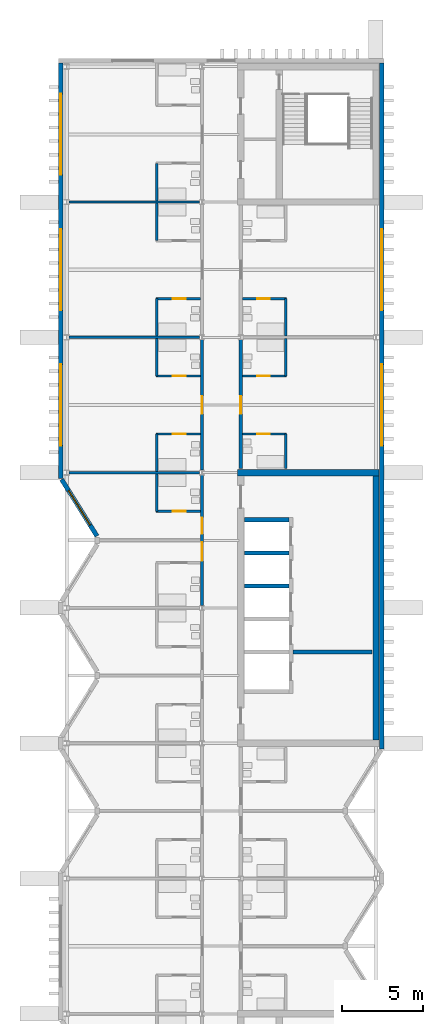
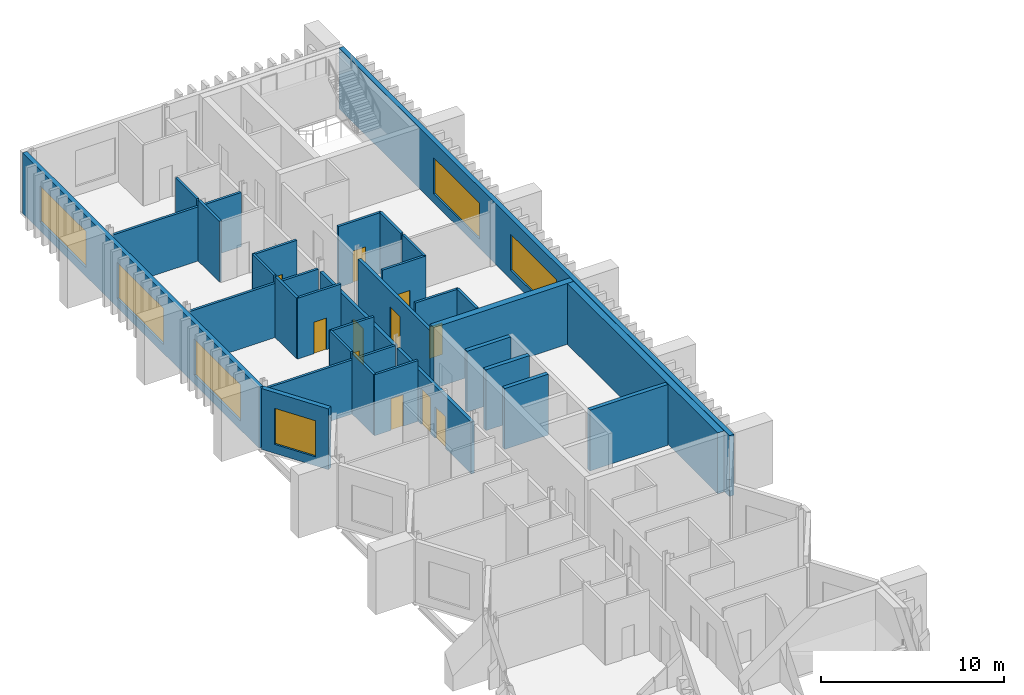
# One storey, part 7 of 10: 31 walls, 11 doors, 6 windows, 17 openings.
"""IFC4 building model written with IfcOpenShell, lengths in metres."""

from ifc_helpers import new_model, si_unit, direction, frame, frame_2d, origin, place, context, subcontext, project, spatial, rectangle, extrude, material, layer, layer_set, type_object, element, fill, save


model = new_model("IFC4")

# Units and contexts
model_context = context("Model", 3, precision=1e-05, world=origin(), true_north=direction((0.0, 1.0)))
body_context = subcontext(model_context, "Body", "Model", "MODEL_VIEW")
ifc_project = project(units=[si_unit("LENGTHUNIT", "METRE"), si_unit("AREAUNIT", "SQUARE_METRE"), si_unit("VOLUMEUNIT", "CUBIC_METRE"), si_unit("PLANEANGLEUNIT", "RADIAN"), si_unit("MASSUNIT", "GRAM", prefix="KILO")], contexts=[model_context])

# Site, building, storey
site_placement = place(None, origin())
site = spatial("IfcSite", under=ifc_project, at=site_placement, CompositionType="ELEMENT")
building_placement = place(site_placement, origin())
building = spatial("IfcBuilding", under=site, at=building_placement, Name="Cresset Court Congress Hotel", CompositionType="ELEMENT")
storey_placement = place(building_placement, frame((0.0, 0.0, 56.39990234375)))
storey = spatial("IfcBuildingStorey", under=building, at=storey_placement, Name="L13", CompositionType="ELEMENT", Elevation=56.39990234375)

# Wall, openings, doors
ifc_material_1 = material(Name="Gypsum board partition")
ifc_layer_1 = layer(ifc_material_1, 0.199951171875)
ifc_layer_set_1 = layer_set([ifc_layer_1], Name="Corridor wall 200")
wall_type_1 = type_object("IfcWallType", Name="Corridor wall 200", PredefinedType="PARTITIONING", material=ifc_layer_set_1)
wall_1_placement = place(storey_placement, frame((165.60009765625, 33.75, 0.0), z_axis=(0.0, 0.0, 1.0), x_axis=(0.0, 1.0, 0.0)))
wall_1 = element("IfcWall", 1, at=wall_1_placement, inside=storey, type_object=wall_type_1, Name="A.wl.L13.068", PredefinedType="PARTITIONING", context=body_context, shape_type="SweptSolid", body=[
    extrude(rectangle(XDim=8.10009765625, YDim=0.199951171875, at=frame_2d((4.050048828125, 0.0))), origin(), (0.0, 0.0, 1.0), 3.4501953125),
])
opening_1_placement = place(wall_1_placement, frame((2.77490234375, 0.0, 0.0)))
opening_1 = element("IfcOpeningElement", 2, at=opening_1_placement, cuts=wall_1, Name="Opening DA-13-17", PredefinedType="OPENING", context=body_context, shape_type="SweptSolid", body=[
    extrude(rectangle(XDim=1.14990234375, YDim=2.10009765625, at=frame_2d((0.574951171875, 1.050048828125))), frame((0.0, 0.10986328125, 0.0), z_axis=(0.0, -1.0, 0.0), x_axis=(1.0, 0.0, 0.0)), (0.0, 0.0, 1.0), 0.219970703125),
])
opening_2_placement = place(wall_1_placement, frame((4.449951171875, 0.0, 0.0)))
opening_2 = element("IfcOpeningElement", 3, at=opening_2_placement, cuts=wall_1, Name="Opening DA-13-19", PredefinedType="OPENING", context=body_context, shape_type="SweptSolid", body=[
    extrude(rectangle(XDim=1.0, YDim=2.39990234375, at=frame_2d((0.5, 1.199951171875))), frame((0.0, 0.10986328125, 0.0), z_axis=(0.0, -1.0, 0.0), x_axis=(1.0, 0.0, 0.0)), (0.0, 0.0, 1.0), 0.219970703125),
])
ifc_material_2 = material(Name="timber", Category="wood")
door_type_1 = type_object("IfcDoorType", Name="Accessible guest-room entry door 1150x2100 FD30S", OperationType="SINGLE_SWING_LEFT", PredefinedType="DOOR", material=ifc_material_2)
door_1_placement = place(opening_1_placement, origin())
door_1 = element("IfcDoor", 4, at=door_1_placement, inside=storey, type_object=door_type_1, Name="Door DA-13-17", OperationType="SINGLE_SWING_RIGHT", OverallHeight=2.10009765625, OverallWidth=1.14990234375, PredefinedType="DOOR", context=body_context, shape_type="SweptSolid", body=[
    extrude(rectangle(XDim=1.14990234375, YDim=2.10009765625, at=frame_2d((0.574951171875, 1.050048828125))), frame((0.0, 0.02490234375, 0.0), z_axis=(0.0, -1.0, 0.0), x_axis=(1.0, 0.0, 0.0)), (0.0, 0.0, 1.0), 0.050048828125),
])
fill(opening_1, door_1)
ifc_material_3 = material(Name="timber", Category="wood")
door_type_2 = type_object("IfcDoorType", Name="Guest-room entry door 1000x2400 FD30S", OperationType="SINGLE_SWING_LEFT", PredefinedType="DOOR", material=ifc_material_3)
door_2_placement = place(opening_2_placement, origin())
door_2 = element("IfcDoor", 5, at=door_2_placement, inside=storey, type_object=door_type_2, Name="Door DA-13-19", OperationType="SINGLE_SWING_LEFT", OverallHeight=2.39990234375, OverallWidth=1.0, PredefinedType="DOOR", context=body_context, shape_type="SweptSolid", body=[
    extrude(rectangle(XDim=1.0, YDim=2.39990234375, at=frame_2d((0.5, 1.199951171875))), frame((0.0, 0.02490234375, 0.0), z_axis=(0.0, -1.0, 0.0), x_axis=(1.0, 0.0, 0.0)), (0.0, 0.0, 1.0), 0.050048828125),
])
fill(opening_2, door_2)

# Wall, opening, door
wall_2_placement = place(storey_placement, frame((165.60009765625, 42.14990234375, 0.0), z_axis=(0.0, 0.0, 1.0), x_axis=(0.0, 1.0, 0.0)))
wall_2 = element("IfcWall", 6, at=wall_2_placement, inside=storey, type_object=wall_type_1, Name="A.wl.L13.069", PredefinedType="PARTITIONING", context=body_context, shape_type="SweptSolid", body=[
    extrude(rectangle(XDim=8.10009765625, YDim=0.199951171875, at=frame_2d((4.050048828125, 0.0))), origin(), (0.0, 0.0, 1.0), 3.4501953125),
])
opening_3_placement = place(wall_2_placement, frame((3.5, 0.0, 0.0)))
opening_3 = element("IfcOpeningElement", 7, at=opening_3_placement, cuts=wall_2, Name="Opening DA-13-22", PredefinedType="OPENING", context=body_context, shape_type="SweptSolid", body=[
    extrude(rectangle(XDim=1.10009765625, YDim=2.39990234375, at=frame_2d((0.550048828125, 1.199951171875))), frame((0.0, 0.10986328125, 0.0), z_axis=(0.0, -1.0, 0.0), x_axis=(1.0, 0.0, 0.0)), (0.0, 0.0, 1.0), 0.219970703125),
])
ifc_material_4 = material(Name="timber", Category="wood")
door_type_3 = type_object("IfcDoorType", Name="Suite entrance door 1100x2400 FD30S", OperationType="SINGLE_SWING_LEFT", PredefinedType="DOOR", material=ifc_material_4)
door_3_placement = place(opening_3_placement, origin())
door_3 = element("IfcDoor", 8, at=door_3_placement, inside=storey, type_object=door_type_3, Name="Door DA-13-22", OperationType="SINGLE_SWING_RIGHT", OverallHeight=2.39990234375, OverallWidth=1.10009765625, PredefinedType="DOOR", context=body_context, shape_type="SweptSolid", body=[
    extrude(rectangle(XDim=1.10009765625, YDim=2.39990234375, at=frame_2d((0.550048828125, 1.199951171875))), frame((0.0, 0.02490234375, 0.0), z_axis=(0.0, -1.0, 0.0), x_axis=(1.0, 0.0, 0.0)), (0.0, 0.0, 1.0), 0.050048828125),
])
fill(opening_3, door_3)

wall_3_placement = place(storey_placement, frame((168.0, 42.25, 0.0), z_axis=(0.0, 0.0, 1.0), x_axis=(0.0, 1.0, 0.0)))
wall_3 = element("IfcWall", 9, at=wall_3_placement, inside=storey, type_object=wall_type_1, Name="A.wl.L13.074", PredefinedType="PARTITIONING", context=body_context, shape_type="SweptSolid", body=[
    extrude(rectangle(XDim=8.0, YDim=0.199951171875, at=frame_2d((4.0, 0.0))), origin(), (0.0, 0.0, 1.0), 3.4501953125),
])
opening_4_placement = place(wall_3_placement, frame((3.39990234375, 0.0, 0.0)))
opening_4 = element("IfcOpeningElement", 10, at=opening_4_placement, cuts=wall_3, Name="Opening DA-13-39", PredefinedType="OPENING", context=body_context, shape_type="SweptSolid", body=[
    extrude(rectangle(XDim=1.10009765625, YDim=2.39990234375, at=frame_2d((0.550048828125, 1.199951171875))), frame((0.0, 0.10986328125, 0.0), z_axis=(0.0, -1.0, 0.0), x_axis=(1.0, 0.0, 0.0)), (0.0, 0.0, 1.0), 0.219970703125),
])
door_4_placement = place(opening_4_placement, origin())
door_4 = element("IfcDoor", 11, at=door_4_placement, inside=storey, type_object=door_type_3, Name="Door DA-13-39", OperationType="SINGLE_SWING_RIGHT", OverallHeight=2.39990234375, OverallWidth=1.10009765625, PredefinedType="DOOR", context=body_context, shape_type="SweptSolid", body=[
    extrude(rectangle(XDim=1.10009765625, YDim=2.39990234375, at=frame_2d((0.550048828125, 1.199951171875))), frame((0.0, 0.02490234375, 0.0), z_axis=(0.0, -1.0, 0.0), x_axis=(1.0, 0.0, 0.0)), (0.0, 0.0, 1.0), 0.050048828125),
])
fill(opening_4, door_4)

# Wall
ifc_material_5 = material(Name="Gypsum board partition")
ifc_layer_2 = layer(ifc_material_5, 0.14990234375)
ifc_layer_set_2 = layer_set([ifc_layer_2], Name="En-suite wall 150")
wall_type_2 = type_object("IfcWallType", Name="En-suite wall 150", PredefinedType="PARTITIONING", material=ifc_layer_set_2)
wall_4_placement = place(storey_placement, frame((162.800048828125, 39.60009765625, 0.0), z_axis=(0.0, 0.0, 1.0), x_axis=(0.0, 1.0, 0.0)))
element("IfcWall", 12, at=wall_4_placement, inside=storey, type_object=wall_type_2, Name="A.wl.L13.019", PredefinedType="PARTITIONING", context=body_context, shape_type="SweptSolid", body=[
    extrude(rectangle(XDim=2.324951171875, YDim=0.14990234375, at=frame_2d((1.16259765625, 0.0))), origin(), (0.0, 0.0, 1.0), 4.050048828125),
])

# Wall, opening, door
wall_5_placement = place(storey_placement, frame((162.75, 39.60009765625, 0.0), z_axis=(0.0, 0.0, 1.0), x_axis=(1.0, 0.0, 0.0)))
wall_5 = element("IfcWall", 13, at=wall_5_placement, inside=storey, type_object=wall_type_2, Name="A.wl.L13.020", PredefinedType="PARTITIONING", context=body_context, shape_type="SweptSolid", body=[
    extrude(rectangle(XDim=2.75, YDim=0.14990234375, at=frame_2d((1.375, 0.0))), origin(), (0.0, 0.0, 1.0), 4.050048828125),
])
opening_5_placement = place(wall_5_placement, frame((1.030029296875, 0.0, 0.0)))
opening_5 = element("IfcOpeningElement", 14, at=opening_5_placement, cuts=wall_5, Name="Opening DA-13-18", PredefinedType="OPENING", context=body_context, shape_type="SweptSolid", body=[
    extrude(rectangle(XDim=0.800048828125, YDim=2.10009765625, at=frame_2d((0.39990234375, 1.050048828125))), frame((0.0, 0.0849609375, 0.0), z_axis=(0.0, -1.0, 0.0), x_axis=(1.0, 0.0, 0.0)), (0.0, 0.0, 1.0), 0.169921875),
])
ifc_material_6 = material(Name="timber", Category="wood")
door_type_4 = type_object("IfcDoorType", Name="En-suite door 800x2100", OperationType="SINGLE_SWING_LEFT", PredefinedType="DOOR", material=ifc_material_6)
door_5_placement = place(opening_5_placement, origin())
door_5 = element("IfcDoor", 15, at=door_5_placement, inside=storey, type_object=door_type_4, Name="Door DA-13-18", OperationType="SINGLE_SWING_LEFT", OverallHeight=2.10009765625, OverallWidth=0.800048828125, PredefinedType="DOOR", context=body_context, shape_type="SweptSolid", body=[
    extrude(rectangle(XDim=0.800048828125, YDim=2.10009765625, at=frame_2d((0.39990234375, 1.050048828125))), frame((0.0, 0.02490234375, 0.0), z_axis=(0.0, -1.0, 0.0), x_axis=(1.0, 0.0, 0.0)), (0.0, 0.0, 1.0), 0.050048828125),
])
fill(opening_5, door_5)

# Wall
wall_6_placement = place(storey_placement, frame((162.800048828125, 42.074951171875, 0.0), z_axis=(0.0, 0.0, 1.0), x_axis=(0.0, 1.0, 0.0)))
element("IfcWall", 16, at=wall_6_placement, inside=storey, type_object=wall_type_2, Name="A.wl.L13.021", PredefinedType="PARTITIONING", context=body_context, shape_type="SweptSolid", body=[
    extrude(rectangle(XDim=2.324951171875, YDim=0.14990234375, at=frame_2d((1.16259765625, 0.0))), origin(), (0.0, 0.0, 1.0), 4.050048828125),
])

# Wall, opening, door
wall_7_placement = place(storey_placement, frame((162.75, 44.39990234375, 0.0), z_axis=(0.0, 0.0, 1.0), x_axis=(1.0, 0.0, 0.0)))
wall_7 = element("IfcWall", 17, at=wall_7_placement, inside=storey, type_object=wall_type_2, Name="A.wl.L13.022", PredefinedType="PARTITIONING", context=body_context, shape_type="SweptSolid", body=[
    extrude(rectangle(XDim=2.75, YDim=0.14990234375, at=frame_2d((1.375, 0.0))), origin(), (0.0, 0.0, 1.0), 4.050048828125),
])
opening_6_placement = place(wall_7_placement, frame((1.030029296875, 0.0, 0.0)))
opening_6 = element("IfcOpeningElement", 18, at=opening_6_placement, cuts=wall_7, Name="Opening DA-13-20", PredefinedType="OPENING", context=body_context, shape_type="SweptSolid", body=[
    extrude(rectangle(XDim=0.800048828125, YDim=2.10009765625, at=frame_2d((0.39990234375, 1.050048828125))), frame((0.0, 0.0849609375, 0.0), z_axis=(0.0, -1.0, 0.0), x_axis=(1.0, 0.0, 0.0)), (0.0, 0.0, 1.0), 0.169921875),
])
door_6_placement = place(opening_6_placement, origin())
door_6 = element("IfcDoor", 19, at=door_6_placement, inside=storey, type_object=door_type_4, Name="Door DA-13-20", OperationType="SINGLE_SWING_RIGHT", OverallHeight=2.10009765625, OverallWidth=0.800048828125, PredefinedType="DOOR", context=body_context, shape_type="SweptSolid", body=[
    extrude(rectangle(XDim=0.800048828125, YDim=2.10009765625, at=frame_2d((0.39990234375, 1.050048828125))), frame((0.0, 0.02490234375, 0.0), z_axis=(0.0, -1.0, 0.0), x_axis=(1.0, 0.0, 0.0)), (0.0, 0.0, 1.0), 0.050048828125),
])
fill(opening_6, door_6)

# Wall
wall_8_placement = place(storey_placement, frame((162.800048828125, 48.0, 0.0), z_axis=(0.0, 0.0, 1.0), x_axis=(0.0, 1.0, 0.0)))
element("IfcWall", 20, at=wall_8_placement, inside=storey, type_object=wall_type_2, Name="A.wl.L13.023", PredefinedType="PARTITIONING", context=body_context, shape_type="SweptSolid", body=[
    extrude(rectangle(XDim=2.324951171875, YDim=0.14990234375, at=frame_2d((1.16259765625, 0.0))), origin(), (0.0, 0.0, 1.0), 4.050048828125),
])

# Wall, opening, door
wall_9_placement = place(storey_placement, frame((162.75, 48.0, 0.0), z_axis=(0.0, 0.0, 1.0), x_axis=(1.0, 0.0, 0.0)))
wall_9 = element("IfcWall", 21, at=wall_9_placement, inside=storey, type_object=wall_type_2, Name="A.wl.L13.024", PredefinedType="PARTITIONING", context=body_context, shape_type="SweptSolid", body=[
    extrude(rectangle(XDim=2.75, YDim=0.14990234375, at=frame_2d((1.375, 0.0))), origin(), (0.0, 0.0, 1.0), 4.050048828125),
])
opening_7_placement = place(wall_9_placement, frame((1.030029296875, 0.0, 0.0)))
opening_7 = element("IfcOpeningElement", 22, at=opening_7_placement, cuts=wall_9, Name="Opening DA-13-21", PredefinedType="OPENING", context=body_context, shape_type="SweptSolid", body=[
    extrude(rectangle(XDim=0.800048828125, YDim=2.10009765625, at=frame_2d((0.39990234375, 1.050048828125))), frame((0.0, 0.0849609375, 0.0), z_axis=(0.0, -1.0, 0.0), x_axis=(1.0, 0.0, 0.0)), (0.0, 0.0, 1.0), 0.169921875),
])
door_7_placement = place(opening_7_placement, origin())
door_7 = element("IfcDoor", 23, at=door_7_placement, inside=storey, type_object=door_type_4, Name="Door DA-13-21", OperationType="SINGLE_SWING_LEFT", OverallHeight=2.10009765625, OverallWidth=0.800048828125, PredefinedType="DOOR", context=body_context, shape_type="SweptSolid", body=[
    extrude(rectangle(XDim=0.800048828125, YDim=2.10009765625, at=frame_2d((0.39990234375, 1.050048828125))), frame((0.0, 0.02490234375, 0.0), z_axis=(0.0, -1.0, 0.0), x_axis=(1.0, 0.0, 0.0)), (0.0, 0.0, 1.0), 0.050048828125),
])
fill(opening_7, door_7)

# Wall
wall_10_placement = place(storey_placement, frame((162.800048828125, 50.47509765625, 0.0), z_axis=(0.0, 0.0, 1.0), x_axis=(0.0, 1.0, 0.0)))
element("IfcWall", 24, at=wall_10_placement, inside=storey, type_object=wall_type_2, Name="A.wl.L13.025", PredefinedType="PARTITIONING", context=body_context, shape_type="SweptSolid", body=[
    extrude(rectangle(XDim=2.324951171875, YDim=0.14990234375, at=frame_2d((1.16259765625, 0.0))), origin(), (0.0, 0.0, 1.0), 4.050048828125),
])

# Wall, opening, door
wall_11_placement = place(storey_placement, frame((162.75, 52.800048828125, 0.0), z_axis=(0.0, 0.0, 1.0), x_axis=(1.0, 0.0, 0.0)))
wall_11 = element("IfcWall", 25, at=wall_11_placement, inside=storey, type_object=wall_type_2, Name="A.wl.L13.026", PredefinedType="PARTITIONING", context=body_context, shape_type="SweptSolid", body=[
    extrude(rectangle(XDim=2.75, YDim=0.14990234375, at=frame_2d((1.375, 0.0))), origin(), (0.0, 0.0, 1.0), 4.050048828125),
])
opening_8_placement = place(wall_11_placement, frame((1.030029296875, 0.0, 0.0)))
opening_8 = element("IfcOpeningElement", 26, at=opening_8_placement, cuts=wall_11, Name="Opening DA-13-23", PredefinedType="OPENING", context=body_context, shape_type="SweptSolid", body=[
    extrude(rectangle(XDim=0.800048828125, YDim=2.10009765625, at=frame_2d((0.39990234375, 1.050048828125))), frame((0.0, 0.0849609375, 0.0), z_axis=(0.0, -1.0, 0.0), x_axis=(1.0, 0.0, 0.0)), (0.0, 0.0, 1.0), 0.169921875),
])
door_8_placement = place(opening_8_placement, origin())
door_8 = element("IfcDoor", 27, at=door_8_placement, inside=storey, type_object=door_type_4, Name="Door DA-13-23", OperationType="SINGLE_SWING_RIGHT", OverallHeight=2.10009765625, OverallWidth=0.800048828125, PredefinedType="DOOR", context=body_context, shape_type="SweptSolid", body=[
    extrude(rectangle(XDim=0.800048828125, YDim=2.10009765625, at=frame_2d((0.39990234375, 1.050048828125))), frame((0.0, 0.02490234375, 0.0), z_axis=(0.0, -1.0, 0.0), x_axis=(1.0, 0.0, 0.0)), (0.0, 0.0, 1.0), 0.050048828125),
])
fill(opening_8, door_8)

# Walls
wall_12_placement = place(storey_placement, frame((162.800048828125, 56.39990234375, 0.0), z_axis=(0.0, 0.0, 1.0), x_axis=(0.0, 1.0, 0.0)))
element("IfcWall", 28, at=wall_12_placement, inside=storey, type_object=wall_type_2, Name="A.wl.L13.027", PredefinedType="PARTITIONING", context=body_context, shape_type="SweptSolid", body=[
    extrude(rectangle(XDim=2.3251953125, YDim=0.14990234375, at=frame_2d((1.16259765625, 0.0))), origin(), (0.0, 0.0, 1.0), 4.050048828125),
])
wall_13_placement = place(storey_placement, frame((162.800048828125, 58.875, 0.0), z_axis=(0.0, 0.0, 1.0), x_axis=(0.0, 1.0, 0.0)))
element("IfcWall", 29, at=wall_13_placement, inside=storey, type_object=wall_type_2, Name="A.wl.L13.029", PredefinedType="PARTITIONING", context=body_context, shape_type="SweptSolid", body=[
    extrude(rectangle(XDim=2.324951171875, YDim=0.14990234375, at=frame_2d((1.16259765625, 0.0))), origin(), (0.0, 0.0, 1.0), 4.050048828125),
])
wall_14_placement = place(storey_placement, frame((170.800048828125, 42.25, 0.0), z_axis=(0.0, 0.0, 1.0), x_axis=(0.0, 1.0, 0.0)))
element("IfcWall", 30, at=wall_14_placement, inside=storey, type_object=wall_type_2, Name="A.wl.L13.041", PredefinedType="PARTITIONING", context=body_context, shape_type="SweptSolid", body=[
    extrude(rectangle(XDim=2.14990234375, YDim=0.14990234375, at=frame_2d((1.074951171875, 0.0))), origin(), (0.0, 0.0, 1.0), 4.050048828125),
])

# Wall, opening, door
wall_15_placement = place(storey_placement, frame((170.85009765625, 44.39990234375, 0.0), z_axis=(0.0, 0.0, 1.0), x_axis=(-1.0, 0.0, 0.0)))
wall_15 = element("IfcWall", 31, at=wall_15_placement, inside=storey, type_object=wall_type_2, Name="A.wl.L13.042", PredefinedType="PARTITIONING", context=body_context, shape_type="SweptSolid", body=[
    extrude(rectangle(XDim=2.75, YDim=0.14990234375, at=frame_2d((1.375, 0.0))), origin(), (0.0, 0.0, 1.0), 4.050048828125),
])
opening_9_placement = place(wall_15_placement, frame((1.030029296875, 0.0, 0.0)))
opening_9 = element("IfcOpeningElement", 32, at=opening_9_placement, cuts=wall_15, Name="Opening DA-13-37", PredefinedType="OPENING", context=body_context, shape_type="SweptSolid", body=[
    extrude(rectangle(XDim=0.800048828125, YDim=2.10009765625, at=frame_2d((0.39990234375, 1.050048828125))), frame((0.0, 0.0849609375, 0.0), z_axis=(0.0, -1.0, 0.0), x_axis=(1.0, 0.0, 0.0)), (0.0, 0.0, 1.0), 0.169921875),
])
door_9_placement = place(opening_9_placement, origin())
door_9 = element("IfcDoor", 33, at=door_9_placement, inside=storey, type_object=door_type_4, Name="Door DA-13-37", OperationType="SINGLE_SWING_RIGHT", OverallHeight=2.10009765625, OverallWidth=0.800048828125, PredefinedType="DOOR", context=body_context, shape_type="SweptSolid", body=[
    extrude(rectangle(XDim=0.800048828125, YDim=2.10009765625, at=frame_2d((0.39990234375, 1.050048828125))), frame((0.0, 0.02490234375, 0.0), z_axis=(0.0, -1.0, 0.0), x_axis=(1.0, 0.0, 0.0)), (0.0, 0.0, 1.0), 0.050048828125),
])
fill(opening_9, door_9)

# Wall
wall_16_placement = place(storey_placement, frame((170.800048828125, 48.0, 0.0), z_axis=(0.0, 0.0, 1.0), x_axis=(0.0, 1.0, 0.0)))
element("IfcWall", 34, at=wall_16_placement, inside=storey, type_object=wall_type_2, Name="A.wl.L13.043", PredefinedType="PARTITIONING", context=body_context, shape_type="SweptSolid", body=[
    extrude(rectangle(XDim=2.324951171875, YDim=0.14990234375, at=frame_2d((1.16259765625, 0.0))), origin(), (0.0, 0.0, 1.0), 4.050048828125),
])

# Wall, opening, door
wall_17_placement = place(storey_placement, frame((170.85009765625, 48.0, 0.0), z_axis=(0.0, 0.0, 1.0), x_axis=(-1.0, 0.0, 0.0)))
wall_17 = element("IfcWall", 35, at=wall_17_placement, inside=storey, type_object=wall_type_2, Name="A.wl.L13.044", PredefinedType="PARTITIONING", context=body_context, shape_type="SweptSolid", body=[
    extrude(rectangle(XDim=2.75, YDim=0.14990234375, at=frame_2d((1.375, 0.0))), origin(), (0.0, 0.0, 1.0), 4.050048828125),
])
opening_10_placement = place(wall_17_placement, frame((1.030029296875, 0.0, 0.0)))
opening_10 = element("IfcOpeningElement", 36, at=opening_10_placement, cuts=wall_17, Name="Opening DA-13-38", PredefinedType="OPENING", context=body_context, shape_type="SweptSolid", body=[
    extrude(rectangle(XDim=0.800048828125, YDim=2.10009765625, at=frame_2d((0.39990234375, 1.050048828125))), frame((0.0, 0.0849609375, 0.0), z_axis=(0.0, -1.0, 0.0), x_axis=(1.0, 0.0, 0.0)), (0.0, 0.0, 1.0), 0.169921875),
])
door_10_placement = place(opening_10_placement, origin())
door_10 = element("IfcDoor", 37, at=door_10_placement, inside=storey, type_object=door_type_4, Name="Door DA-13-38", OperationType="SINGLE_SWING_LEFT", OverallHeight=2.10009765625, OverallWidth=0.800048828125, PredefinedType="DOOR", context=body_context, shape_type="SweptSolid", body=[
    extrude(rectangle(XDim=0.800048828125, YDim=2.10009765625, at=frame_2d((0.39990234375, 1.050048828125))), frame((0.0, 0.02490234375, 0.0), z_axis=(0.0, -1.0, 0.0), x_axis=(1.0, 0.0, 0.0)), (0.0, 0.0, 1.0), 0.050048828125),
])
fill(opening_10, door_10)

# Wall
wall_18_placement = place(storey_placement, frame((170.800048828125, 50.47509765625, 0.0), z_axis=(0.0, 0.0, 1.0), x_axis=(0.0, 1.0, 0.0)))
element("IfcWall", 38, at=wall_18_placement, inside=storey, type_object=wall_type_2, Name="A.wl.L13.045", PredefinedType="PARTITIONING", context=body_context, shape_type="SweptSolid", body=[
    extrude(rectangle(XDim=2.324951171875, YDim=0.14990234375, at=frame_2d((1.16259765625, 0.0))), origin(), (0.0, 0.0, 1.0), 4.050048828125),
])

# Wall, opening, door
wall_19_placement = place(storey_placement, frame((170.85009765625, 52.800048828125, 0.0), z_axis=(0.0, 0.0, 1.0), x_axis=(-1.0, 0.0, 0.0)))
wall_19 = element("IfcWall", 39, at=wall_19_placement, inside=storey, type_object=wall_type_2, Name="A.wl.L13.046", PredefinedType="PARTITIONING", context=body_context, shape_type="SweptSolid", body=[
    extrude(rectangle(XDim=2.75, YDim=0.14990234375, at=frame_2d((1.375, 0.0))), origin(), (0.0, 0.0, 1.0), 4.050048828125),
])
opening_11_placement = place(wall_19_placement, frame((1.030029296875, 0.0, 0.0)))
opening_11 = element("IfcOpeningElement", 40, at=opening_11_placement, cuts=wall_19, Name="Opening DA-13-40", PredefinedType="OPENING", context=body_context, shape_type="SweptSolid", body=[
    extrude(rectangle(XDim=0.800048828125, YDim=2.10009765625, at=frame_2d((0.39990234375, 1.050048828125))), frame((0.0, 0.0849609375, 0.0), z_axis=(0.0, -1.0, 0.0), x_axis=(1.0, 0.0, 0.0)), (0.0, 0.0, 1.0), 0.169921875),
])
door_11_placement = place(opening_11_placement, origin())
door_11 = element("IfcDoor", 41, at=door_11_placement, inside=storey, type_object=door_type_4, Name="Door DA-13-40", OperationType="SINGLE_SWING_RIGHT", OverallHeight=2.10009765625, OverallWidth=0.800048828125, PredefinedType="DOOR", context=body_context, shape_type="SweptSolid", body=[
    extrude(rectangle(XDim=0.800048828125, YDim=2.10009765625, at=frame_2d((0.39990234375, 1.050048828125))), frame((0.0, 0.02490234375, 0.0), z_axis=(0.0, -1.0, 0.0), x_axis=(1.0, 0.0, 0.0)), (0.0, 0.0, 1.0), 0.050048828125),
])
fill(opening_11, door_11)

# Wall, opening, window
ifc_material_7 = material(Name="Precast concrete C50", Category="concrete")
ifc_layer_3 = layer(ifc_material_7, 0.280029296875)
ifc_layer_set_3 = layer_set([ifc_layer_3], Name="External wall 280")
wall_type_3 = type_object("IfcWallType", Name="External wall 280", PredefinedType="SOLIDWALL", material=ifc_layer_set_3)
wall_20_placement = place(storey_placement, frame((159.07861328125, 38.05908203125, 0.0), z_axis=(0.0, 0.0, 1.0), x_axis=(-0.529018946142, 0.848610013271, 0.0)))
wall_20 = element("IfcWall", 42, at=wall_20_placement, inside=storey, type_object=wall_type_3, Name="A.ew.L13.Wn.4.1", PredefinedType="SOLIDWALL", context=body_context, shape_type="SweptSolid", body=[
    extrude(rectangle(XDim=4.144287109375, YDim=0.280029296875, at=frame_2d((2.072265625, 0.0))), origin(), (0.0, 0.0, 1.0), 4.050048828125),
])
opening_12_placement = place(wall_20_placement, frame((0.812255859375, 0.0, 0.60009765625)))
opening_12 = element("IfcOpeningElement", 43, at=opening_12_placement, cuts=wall_20, Name="Opening NA-13-09", PredefinedType="OPENING", context=body_context, shape_type="SweptSolid", body=[
    extrude(rectangle(XDim=2.52001953125, YDim=2.39990234375, at=frame_2d((1.260009765625, 1.199951171875))), frame((0.0, 0.14990234375, 0.0), z_axis=(0.0, -1.0, 0.0), x_axis=(1.0, 0.0, 0.0)), (0.0, 0.0, 1.0), 0.300048828125),
])
ifc_material_8 = material(Name="Aluminium and glass", Category="aluminium")
window_type_1 = type_object("IfcWindowType", Name="Window 2520x2400", PartitioningType="SINGLE_PANEL", PredefinedType="WINDOW", material=ifc_material_8)
window_1_placement = place(opening_12_placement, origin())
window_1 = element("IfcWindow", 44, at=window_1_placement, inside=storey, type_object=window_type_1, Name="Window NA-13-09", OverallHeight=2.39990234375, OverallWidth=2.52001953125, PartitioningType="SINGLE_PANEL", PredefinedType="WINDOW", context=body_context, shape_type="SweptSolid", body=[
    extrude(rectangle(XDim=2.52001953125, YDim=2.39990234375, at=frame_2d((1.260009765625, 1.199951171875))), frame((0.0, 0.030029296875, 0.0), z_axis=(0.0, -1.0, 0.0), x_axis=(1.0, 0.0, 0.0)), (0.0, 0.0, 1.0), 0.06005859375),
])
fill(opening_12, window_1)

# Wall, openings, windows
wall_21_placement = place(storey_placement, frame((156.840087890625, 41.64990234375, 0.0), z_axis=(0.0, 0.0, 1.0), x_axis=(0.0, 1.0, 0.0)))
wall_21 = element("IfcWall", 45, at=wall_21_placement, inside=storey, type_object=wall_type_3, Name="A.ew.L13.W.5", PredefinedType="SOLIDWALL", context=body_context, shape_type="SweptSolid", body=[
    extrude(rectangle(XDim=25.77001953125, YDim=0.280029296875, at=frame_2d((12.885009765625, 0.0))), origin(), (0.0, 0.0, 1.0), 4.050048828125),
])
opening_13_placement = place(wall_21_placement, frame((2.030029296875, 0.0, 0.60009765625)))
opening_13 = element("IfcOpeningElement", 46, at=opening_13_placement, cuts=wall_21, Name="Opening NA-13-10", PredefinedType="OPENING", context=body_context, shape_type="SweptSolid", body=[
    extrude(rectangle(XDim=5.0400390625, YDim=2.39990234375, at=frame_2d((2.52001953125, 1.199951171875))), frame((0.0, 0.14990234375, 0.0), z_axis=(0.0, -1.0, 0.0), x_axis=(1.0, 0.0, 0.0)), (0.0, 0.0, 1.0), 0.300048828125),
])
opening_14_placement = place(wall_21_placement, frame((10.429931640625, 0.0, 0.60009765625)))
opening_14 = element("IfcOpeningElement", 47, at=opening_14_placement, cuts=wall_21, Name="Opening NA-13-11", PredefinedType="OPENING", context=body_context, shape_type="SweptSolid", body=[
    extrude(rectangle(XDim=5.0400390625, YDim=2.39990234375, at=frame_2d((2.52001953125, 1.199951171875))), frame((0.0, 0.14990234375, 0.0), z_axis=(0.0, -1.0, 0.0), x_axis=(1.0, 0.0, 0.0)), (0.0, 0.0, 1.0), 0.300048828125),
])
opening_15_placement = place(wall_21_placement, frame((18.830078125, 0.0, 0.60009765625)))
opening_15 = element("IfcOpeningElement", 48, at=opening_15_placement, cuts=wall_21, Name="Opening NA-13-12", PredefinedType="OPENING", context=body_context, shape_type="SweptSolid", body=[
    extrude(rectangle(XDim=5.0400390625, YDim=2.39990234375, at=frame_2d((2.52001953125, 1.199951171875))), frame((0.0, 0.14990234375, 0.0), z_axis=(0.0, -1.0, 0.0), x_axis=(1.0, 0.0, 0.0)), (0.0, 0.0, 1.0), 0.300048828125),
])
ifc_material_9 = material(Name="Aluminium and glass", Category="aluminium")
window_type_2 = type_object("IfcWindowType", Name="Window 5040x2400", PartitioningType="SINGLE_PANEL", PredefinedType="WINDOW", material=ifc_material_9)
window_2_placement = place(opening_13_placement, origin())
window_2 = element("IfcWindow", 49, at=window_2_placement, inside=storey, type_object=window_type_2, Name="Window NA-13-10", OverallHeight=2.39990234375, OverallWidth=5.0400390625, PartitioningType="SINGLE_PANEL", PredefinedType="WINDOW", context=body_context, shape_type="SweptSolid", body=[
    extrude(rectangle(XDim=5.0400390625, YDim=2.39990234375, at=frame_2d((2.52001953125, 1.199951171875))), frame((0.0, 0.030029296875, 0.0), z_axis=(0.0, -1.0, 0.0), x_axis=(1.0, 0.0, 0.0)), (0.0, 0.0, 1.0), 0.06005859375),
])
fill(opening_13, window_2)
window_3_placement = place(opening_14_placement, origin())
window_3 = element("IfcWindow", 50, at=window_3_placement, inside=storey, type_object=window_type_2, Name="Window NA-13-11", OverallHeight=2.39990234375, OverallWidth=5.0400390625, PartitioningType="SINGLE_PANEL", PredefinedType="WINDOW", context=body_context, shape_type="SweptSolid", body=[
    extrude(rectangle(XDim=5.0400390625, YDim=2.39990234375, at=frame_2d((2.52001953125, 1.199951171875))), frame((0.0, 0.030029296875, 0.0), z_axis=(0.0, -1.0, 0.0), x_axis=(1.0, 0.0, 0.0)), (0.0, 0.0, 1.0), 0.06005859375),
])
fill(opening_14, window_3)
window_4_placement = place(opening_15_placement, origin())
window_4 = element("IfcWindow", 51, at=window_4_placement, inside=storey, type_object=window_type_2, Name="Window NA-13-12", OverallHeight=2.39990234375, OverallWidth=5.0400390625, PartitioningType="SINGLE_PANEL", PredefinedType="WINDOW", context=body_context, shape_type="SweptSolid", body=[
    extrude(rectangle(XDim=5.0400390625, YDim=2.39990234375, at=frame_2d((2.52001953125, 1.199951171875))), frame((0.0, 0.030029296875, 0.0), z_axis=(0.0, -1.0, 0.0), x_axis=(1.0, 0.0, 0.0)), (0.0, 0.0, 1.0), 0.06005859375),
])
fill(opening_15, window_4)

wall_22_placement = place(storey_placement, frame((176.760009765625, 24.85009765625, 0.0), z_axis=(0.0, 0.0, 1.0), x_axis=(0.0, 1.0, 0.0)))
wall_22 = element("IfcWall", 52, at=wall_22_placement, inside=storey, type_object=wall_type_3, Name="A.ew.L13.E.3", PredefinedType="SOLIDWALL", context=body_context, shape_type="SweptSolid", body=[
    extrude(rectangle(XDim=42.56982421875, YDim=0.280029296875, at=frame_2d((21.284912109375, 0.0))), origin(), (0.0, 0.0, 1.0), 4.050048828125),
])
opening_16_placement = place(wall_22_placement, frame((18.830078125, 0.0, 0.60009765625)))
opening_16 = element("IfcOpeningElement", 53, at=opening_16_placement, cuts=wall_22, Name="Opening NA-13-17", PredefinedType="OPENING", context=body_context, shape_type="SweptSolid", body=[
    extrude(rectangle(XDim=5.0400390625, YDim=2.39990234375, at=frame_2d((2.52001953125, 1.199951171875))), frame((0.0, 0.14990234375, 0.0), z_axis=(0.0, -1.0, 0.0), x_axis=(1.0, 0.0, 0.0)), (0.0, 0.0, 1.0), 0.300048828125),
])
opening_17_placement = place(wall_22_placement, frame((27.22998046875, 0.0, 0.60009765625)))
opening_17 = element("IfcOpeningElement", 54, at=opening_17_placement, cuts=wall_22, Name="Opening NA-13-18", PredefinedType="OPENING", context=body_context, shape_type="SweptSolid", body=[
    extrude(rectangle(XDim=5.0400390625, YDim=2.39990234375, at=frame_2d((2.52001953125, 1.199951171875))), frame((0.0, 0.14990234375, 0.0), z_axis=(0.0, -1.0, 0.0), x_axis=(1.0, 0.0, 0.0)), (0.0, 0.0, 1.0), 0.300048828125),
])
window_5_placement = place(opening_16_placement, origin())
window_5 = element("IfcWindow", 55, at=window_5_placement, inside=storey, type_object=window_type_2, Name="Window NA-13-17", OverallHeight=2.39990234375, OverallWidth=5.0400390625, PartitioningType="SINGLE_PANEL", PredefinedType="WINDOW", context=body_context, shape_type="SweptSolid", body=[
    extrude(rectangle(XDim=5.0400390625, YDim=2.39990234375, at=frame_2d((2.52001953125, 1.199951171875))), frame((0.0, 0.030029296875, 0.0), z_axis=(0.0, -1.0, 0.0), x_axis=(1.0, 0.0, 0.0)), (0.0, 0.0, 1.0), 0.06005859375),
])
fill(opening_16, window_5)
window_6_placement = place(opening_17_placement, origin())
window_6 = element("IfcWindow", 56, at=window_6_placement, inside=storey, type_object=window_type_2, Name="Window NA-13-18", OverallHeight=2.39990234375, OverallWidth=5.0400390625, PartitioningType="SINGLE_PANEL", PredefinedType="WINDOW", context=body_context, shape_type="SweptSolid", body=[
    extrude(rectangle(XDim=5.0400390625, YDim=2.39990234375, at=frame_2d((2.52001953125, 1.199951171875))), frame((0.0, 0.030029296875, 0.0), z_axis=(0.0, -1.0, 0.0), x_axis=(1.0, 0.0, 0.0)), (0.0, 0.0, 1.0), 0.06005859375),
])
fill(opening_17, window_6)

# Walls
ifc_material_10 = material(Name="Gypsum board partition")
ifc_layer_4 = layer(ifc_material_10, 0.14990234375)
ifc_layer_set_4 = layer_set([ifc_layer_4], Name="Guest-room partition 150")
wall_type_4 = type_object("IfcWallType", Name="Guest-room partition 150", PredefinedType="PARTITIONING", material=ifc_layer_set_4)
for number, where, z_axis, x_axis, name in (
    (57, (157.35009765625, 42.0, 0.0), (0.0, 0.0, 1.0), (1.0, 0.0, 0.0), "A.wl.L13.053"),
    (58, (157.35009765625, 50.39990234375, 0.0), (0.0, 0.0, 1.0), (1.0, 0.0, 0.0), "A.wl.L13.054"),
    (59, (157.35009765625, 58.800048828125, 0.0), (0.0, 0.0, 1.0), (1.0, 0.0, 0.0), "A.wl.L13.055"),
):
    element("IfcWall", number, at=place(storey_placement, frame(where, z_axis=z_axis, x_axis=x_axis)), inside=storey, type_object=wall_type_4, Name=name, PredefinedType="PARTITIONING", context=body_context, shape_type="SweptSolid", body=[
        extrude(rectangle(XDim=8.099853515625, YDim=0.14990234375, at=frame_2d((4.0498046875, 0.0))), origin(), (0.0, 0.0, 1.0), 3.60400390625),
    ])
ifc_material_11 = material(Name="Concrete C50", Category="concrete")
ifc_layer_5 = layer(ifc_material_11, 0.39990234375)
ifc_layer_set_5 = layer_set([ifc_layer_5], Name="Lift core wall 400")
wall_type_5 = type_object("IfcWallType", Name="Lift core wall 400", PredefinedType="SOLIDWALL", material=ifc_layer_set_5)
wall_23_placement = place(storey_placement, frame((167.800048828125, 42.0, 0.0), z_axis=(0.0, 0.0, 1.0), x_axis=(1.0, 0.0, 0.0)))
element("IfcWall", 60, at=wall_23_placement, inside=storey, type_object=wall_type_5, Name="A.cw.LC-A.L13.N", PredefinedType="SOLIDWALL", context=body_context, shape_type="SweptSolid", body=[
    extrude(rectangle(XDim=8.800048828125, YDim=0.39990234375, at=frame_2d((4.39990234375, 0.0))), origin(), (0.0, 0.0, 1.0), 4.050048828125),
])
wall_24_placement = place(storey_placement, frame((176.39990234375, 25.39990234375, 0.0), z_axis=(0.0, 0.0, 1.0), x_axis=(0.0, 1.0, 0.0)))
element("IfcWall", 61, at=wall_24_placement, inside=storey, type_object=wall_type_5, Name="A.cw.LC-A.L13.E", PredefinedType="SOLIDWALL", context=body_context, shape_type="SweptSolid", body=[
    extrude(rectangle(XDim=16.400146484375, YDim=0.39990234375, at=frame_2d((8.2001953125, 0.0))), origin(), (0.0, 0.0, 1.0), 4.050048828125),
])
ifc_material_12 = material(Name="Concrete C50", Category="concrete")
ifc_layer_6 = layer(ifc_material_12, 0.25)
ifc_layer_set_6 = layer_set([ifc_layer_6], Name="Lift shaft wall 250")
wall_type_6 = type_object("IfcWallType", Name="Lift shaft wall 250", PredefinedType="SOLIDWALL", material=ifc_layer_set_6)
for number, where, z_axis, x_axis, name in (
    (62, (168.25, 34.97509765625, 0.0), (0.0, 0.0, 1.0), (1.0, 0.0, 0.0), "A.wl.L13.084"),
    (63, (168.25, 37.02490234375, 0.0), (0.0, 0.0, 1.0), (1.0, 0.0, 0.0), "A.wl.L13.085"),
    (64, (168.25, 39.074951171875, 0.0), (0.0, 0.0, 1.0), (1.0, 0.0, 0.0), "A.wl.L13.086"),
):
    element("IfcWall", number, at=place(storey_placement, frame(where, z_axis=z_axis, x_axis=x_axis)), inside=storey, type_object=wall_type_6, Name=name, PredefinedType="SOLIDWALL", context=body_context, shape_type="SweptSolid", body=[
        extrude(rectangle(XDim=2.75, YDim=0.25, at=frame_2d((1.375, 0.0))), origin(), (0.0, 0.0, 1.0), 4.050048828125),
    ])
wall_25_placement = place(storey_placement, frame((171.25, 30.875, 0.0), z_axis=(0.0, 0.0, 1.0), x_axis=(1.0, 0.0, 0.0)))
element("IfcWall", 65, at=wall_25_placement, inside=storey, type_object=wall_type_6, Name="A.wl.L13.087", PredefinedType="SOLIDWALL", context=body_context, shape_type="SweptSolid", body=[
    extrude(rectangle(XDim=4.89990234375, YDim=0.25, at=frame_2d((2.449951171875, 0.0))), origin(), (0.0, 0.0, 1.0), 4.050048828125),
])

save(model, "model.ifc")
